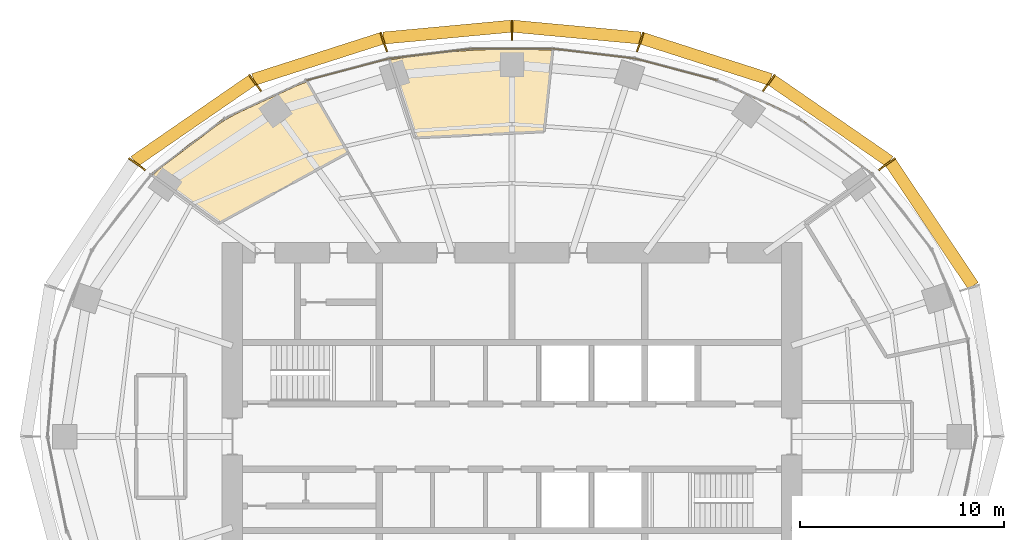
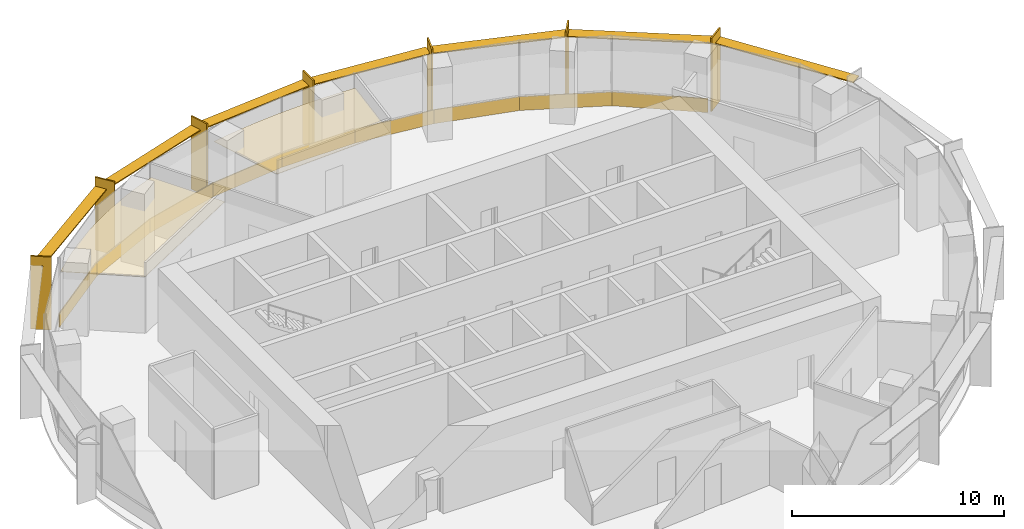
# One storey, part 13 of 13: 14 shading devices, 11 coverings.
"""IFC4 building model written with IfcOpenShell, lengths in metres."""

from ifc_helpers import new_model, si_unit, direction, frame, origin, origin_2d, place, context, subcontext, project, spatial, polyline, rectangle, outline, extrude, material, layer, layer_set, type_object, element, save


model = new_model("IFC4")

# Units and contexts
model_context = context("Model", 3, precision=1e-05, world=origin(), true_north=direction((0.0, 1.0)))
body_context = subcontext(model_context, "Body", "Model", "MODEL_VIEW")
ifc_project = project(units=[si_unit("LENGTHUNIT", "METRE"), si_unit("AREAUNIT", "SQUARE_METRE"), si_unit("VOLUMEUNIT", "CUBIC_METRE"), si_unit("PLANEANGLEUNIT", "RADIAN"), si_unit("MASSUNIT", "GRAM", prefix="KILO")], contexts=[model_context])

# Site, building, storey
site_placement = place(None, origin())
site = spatial("IfcSite", under=ifc_project, at=site_placement, CompositionType="ELEMENT")
building_placement = place(site_placement, origin())
building = spatial("IfcBuilding", under=site, at=building_placement, Name="Marramba Exchange Tower", CompositionType="ELEMENT")
storey_placement = place(building_placement, frame((0.0, 0.0, 260.199951171875)))
storey = spatial("IfcBuildingStorey", under=building, at=storey_placement, Name="L63", CompositionType="ELEMENT", Elevation=260.199951171875)

# Shading devices
ifc_material_1 = material(Name="Aluminium blade, timber-look bronze finish", Category="wood")
ifc_layer_1 = layer(ifc_material_1, 0.080078125)
ifc_layer_set_1 = layer_set([ifc_layer_1], Name="Floor-edge blade 1000x80")
shading_device_type_1 = type_object("IfcShadingDeviceType", Name="Floor-edge blade 1000x80", PredefinedType="USERDEFINED", material=ifc_layer_set_1)
for number, where, z_axis, x_axis, name in (
    (1, (18.361083984375, 13.340087890625, -0.16015625), (0.0, 0.0, 1.0), (0.809016994375, 0.587785252292, 0.0), "Floor-edge blade FB1 L63 TC03"),
    (2, (12.58056640625, 17.315673828125, -0.16015625), (0.0, 0.0, 1.0), (0.587785252292, 0.809016994375, 0.0), "Floor-edge blade FB1 L63 TC04"),
    (3, (6.279296875, 19.325439453125, -0.16015625), (0.0, 0.0, 1.0), (0.309016994375, 0.951056516295, 0.0), "Floor-edge blade FB1 L63 TC05"),
    (4, (0.0, 19.904052734375, -0.16015625), (0.0, 0.0, 1.0), (0.0, 1.0, 0.0), "Floor-edge blade FB1 L63 TC06"),
    (5, (-6.279296875, 19.325439453125, -0.16015625), (0.0, 0.0, 1.0), (-0.309016994375, 0.951056516295, 0.0), "Floor-edge blade FB1 L63 TC07"),
    (6, (-12.58056640625, 17.315673828125, -0.16015625), (0.0, 0.0, 1.0), (-0.587785252292, 0.809016994375, 0.0), "Floor-edge blade FB1 L63 TC08"),
    (7, (-18.361083984375, 13.340087890625, -0.16015625), (0.0, 0.0, 1.0), (-0.809016994375, 0.587785252292, 0.0), "Floor-edge blade FB1 L63 TC09"),
):
    element("IfcShadingDevice", number, at=place(storey_placement, frame(where, z_axis=z_axis, x_axis=x_axis)), inside=storey, type_object=shading_device_type_1, Name=name, ObjectType="FIN", PredefinedType="USERDEFINED", context=body_context, shape_type="SweptSolid", body=[
        extrude(rectangle(XDim=1.0, YDim=0.080078125, at=origin_2d()), origin(), (0.0, 0.0, 1.0), 4.199951171875),
    ])
ifc_material_2 = material(Name="Aluminium sunshade, bronze anodised", Category="aluminium")
ifc_layer_2 = layer(ifc_material_2, 0.06005859375)
ifc_layer_set_2 = layer_set([ifc_layer_2], Name="SUNSHADE blade 600x60")
shading_device_type_2 = type_object("IfcShadingDeviceType", Name="SUNSHADE blade 600x60", PredefinedType="USERDEFINED", material=ifc_layer_set_2)
shading_device_1_placement = place(storey_placement, frame((20.569091796875, 10.40283203125, 3.4599609375), z_axis=(0.0, 0.0, 1.0), x_axis=(-0.556539553467, 0.830821115179, 0.0)))
element("IfcShadingDevice", 8, at=shading_device_1_placement, inside=storey, type_object=shading_device_type_2, Name="Sunshade SS1 L63 bay 02", ObjectType="SUNSHADE", PredefinedType="USERDEFINED", context=body_context, shape_type="SweptSolid", body=[
    extrude(rectangle(XDim=7.2734375, YDim=0.60009765625, at=origin_2d()), origin(), (0.0, 0.0, 1.0), 0.06005859375),
])
shading_device_2_placement = place(storey_placement, frame((15.610595703125, 15.467529296875, 3.4599609375), z_axis=(0.0, 0.0, 1.0), x_axis=(-0.823024460267, 0.568005931134, 0.0)))
element("IfcShadingDevice", 9, at=shading_device_2_placement, inside=storey, type_object=shading_device_type_2, Name="Sunshade SS1 L63 bay 03", ObjectType="SUNSHADE", PredefinedType="USERDEFINED", context=body_context, shape_type="SweptSolid", body=[
    extrude(rectangle(XDim=6.9970703125, YDim=0.60009765625, at=origin_2d()), origin(), (0.0, 0.0, 1.0), 0.06005859375),
])
shading_device_3_placement = place(storey_placement, frame((9.51953125, 18.49658203125, 3.4599609375), z_axis=(0.0, 0.0, 1.0), x_axis=(-0.952259596472, 0.30528947071, 0.0)))
element("IfcShadingDevice", 10, at=shading_device_3_placement, inside=storey, type_object=shading_device_type_2, Name="Sunshade SS1 L63 bay 04", ObjectType="SUNSHADE", PredefinedType="USERDEFINED", context=body_context, shape_type="SweptSolid", body=[
    extrude(rectangle(XDim=6.595947265625, YDim=0.60009765625, at=origin_2d()), origin(), (0.0, 0.0, 1.0), 0.06005859375),
])
for number, where, z_axis, x_axis, name in (
    (11, (3.17041015625, 19.809814453125, 3.4599609375), (0.0, 0.0, 1.0), (-0.995722269911, 0.092396759698, 0.0), "Sunshade SS1 L63 bay 05"),
    (12, (-3.17041015625, 19.809814453125, 3.4599609375), (0.0, 0.0, 1.0), (-0.995722269911, -0.092396759698, 0.0), "Sunshade SS1 L63 bay 06"),
):
    element("IfcShadingDevice", number, at=place(storey_placement, frame(where, z_axis=z_axis, x_axis=x_axis)), inside=storey, type_object=shading_device_type_2, Name=name, ObjectType="SUNSHADE", PredefinedType="USERDEFINED", context=body_context, shape_type="SweptSolid", body=[
        extrude(rectangle(XDim=6.288330078125, YDim=0.60009765625, at=origin_2d()), origin(), (0.0, 0.0, 1.0), 0.06005859375),
    ])
shading_device_4_placement = place(storey_placement, frame((-9.51953125, 18.49658203125, 3.4599609375), z_axis=(0.0, 0.0, 1.0), x_axis=(-0.952259596472, -0.30528947071, 0.0)))
element("IfcShadingDevice", 13, at=shading_device_4_placement, inside=storey, type_object=shading_device_type_2, Name="Sunshade SS1 L63 bay 07", ObjectType="SUNSHADE", PredefinedType="USERDEFINED", context=body_context, shape_type="SweptSolid", body=[
    extrude(rectangle(XDim=6.595947265625, YDim=0.60009765625, at=origin_2d()), origin(), (0.0, 0.0, 1.0), 0.06005859375),
])
shading_device_5_placement = place(storey_placement, frame((-15.610595703125, 15.467529296875, 3.4599609375), z_axis=(0.0, 0.0, 1.0), x_axis=(-0.823024460267, -0.568005931134, 0.0)))
element("IfcShadingDevice", 14, at=shading_device_5_placement, inside=storey, type_object=shading_device_type_2, Name="Sunshade SS1 L63 bay 08", ObjectType="SUNSHADE", PredefinedType="USERDEFINED", context=body_context, shape_type="SweptSolid", body=[
    extrude(rectangle(XDim=6.9970703125, YDim=0.60009765625, at=origin_2d()), origin(), (0.0, 0.0, 1.0), 0.06005859375),
])

# Coverings
ifc_material_3 = material(Name="Aluminium spandrel panel, bronze anodised, insulated", Category="aluminium")
ifc_layer_3 = layer(ifc_material_3, 0.050048828125)
ifc_layer_set_3 = layer_set([ifc_layer_3], Name="Spandrel panel 800")
covering_type_1 = type_object("IfcCoveringType", Name="Spandrel panel 800", PredefinedType="CLADDING", material=ifc_layer_set_3)
covering_1_placement = place(storey_placement, frame((15.859375, 14.2197265625, 0.0), z_axis=(0.0, 0.0, 1.0), x_axis=(-0.796058898731, 0.605219158447, 0.0)))
element("IfcCovering", 15, at=covering_1_placement, inside=storey, type_object=covering_type_1, Name="Spandrel panel SP1 L63 F04", PredefinedType="CLADDING", context=body_context, shape_type="SweptSolid", body=[
    extrude(rectangle(XDim=4.5576171875, YDim=0.050048828125, at=origin_2d()), origin(), (0.0, 0.0, 1.0), 0.800048828125),
])
covering_2_placement = place(storey_placement, frame((12.057861328125, 16.520751953125, 0.0), z_axis=(0.0, 0.0, 1.0), x_axis=(-0.907130582029, 0.420849268918, 0.0)))
element("IfcCovering", 16, at=covering_2_placement, inside=storey, type_object=covering_type_1, Name="Spandrel panel SP1 L63 F05", PredefinedType="CLADDING", context=body_context, shape_type="SweptSolid", body=[
    extrude(rectangle(XDim=4.381591796875, YDim=0.050048828125, at=origin_2d()), origin(), (0.0, 0.0, 1.0), 0.800048828125),
])
covering_3_placement = place(storey_placement, frame((8.04345703125, 17.97998046875, 0.0), z_axis=(0.0, 0.0, 1.0), x_axis=(-0.966643517403, 0.256125575184, 0.0)))
element("IfcCovering", 17, at=covering_3_placement, inside=storey, type_object=covering_type_1, Name="Spandrel panel SP1 L63 F06", PredefinedType="CLADDING", context=body_context, shape_type="SweptSolid", body=[
    extrude(rectangle(XDim=4.194091796875, YDim=0.050048828125, at=origin_2d()), origin(), (0.0, 0.0, 1.0), 0.800048828125),
])
covering_4_placement = place(storey_placement, frame((4.006591796875, 18.757080078125, 0.0), z_axis=(0.0, 0.0, 1.0), x_axis=(-0.992947252913, 0.118556960709, 0.0)))
element("IfcCovering", 18, at=covering_4_placement, inside=storey, type_object=covering_type_1, Name="Spandrel panel SP1 L63 F07", PredefinedType="CLADDING", context=body_context, shape_type="SweptSolid", body=[
    extrude(rectangle(XDim=4.04833984375, YDim=0.050048828125, at=origin_2d()), origin(), (0.0, 0.0, 1.0), 0.800048828125),
])
covering_5_placement = place(storey_placement, frame((0.0, 18.9970703125, 0.0), z_axis=(0.0, 0.0, 1.0), x_axis=(-1.0, 0.0, 0.0)))
element("IfcCovering", 19, at=covering_5_placement, inside=storey, type_object=covering_type_1, Name="Spandrel panel SP1 L63 F08", PredefinedType="CLADDING", context=body_context, shape_type="SweptSolid", body=[
    extrude(rectangle(XDim=3.993408203125, YDim=0.050048828125, at=origin_2d()), origin(), (0.0, 0.0, 1.0), 0.800048828125),
])
covering_6_placement = place(storey_placement, frame((-4.006591796875, 18.757080078125, 0.0), z_axis=(0.0, 0.0, 1.0), x_axis=(-0.992947252913, -0.118556960709, 0.0)))
element("IfcCovering", 20, at=covering_6_placement, inside=storey, type_object=covering_type_1, Name="Spandrel panel SP1 L63 F09", PredefinedType="CLADDING", context=body_context, shape_type="SweptSolid", body=[
    extrude(rectangle(XDim=4.04833984375, YDim=0.050048828125, at=origin_2d()), origin(), (0.0, 0.0, 1.0), 0.800048828125),
])
covering_7_placement = place(storey_placement, frame((-8.04345703125, 17.97998046875, 0.0), z_axis=(0.0, 0.0, 1.0), x_axis=(-0.966643517403, -0.256125575184, 0.0)))
element("IfcCovering", 21, at=covering_7_placement, inside=storey, type_object=covering_type_1, Name="Spandrel panel SP1 L63 F10", PredefinedType="CLADDING", context=body_context, shape_type="SweptSolid", body=[
    extrude(rectangle(XDim=4.194091796875, YDim=0.050048828125, at=origin_2d()), origin(), (0.0, 0.0, 1.0), 0.800048828125),
])
covering_8_placement = place(storey_placement, frame((-12.057861328125, 16.520751953125, 0.0), z_axis=(0.0, 0.0, 1.0), x_axis=(-0.907130582029, -0.420849268918, 0.0)))
element("IfcCovering", 22, at=covering_8_placement, inside=storey, type_object=covering_type_1, Name="Spandrel panel SP1 L63 F11", PredefinedType="CLADDING", context=body_context, shape_type="SweptSolid", body=[
    extrude(rectangle(XDim=4.381591796875, YDim=0.050048828125, at=origin_2d()), origin(), (0.0, 0.0, 1.0), 0.800048828125),
])
covering_9_placement = place(storey_placement, frame((-15.859375, 14.2197265625, 0.0), z_axis=(0.0, 0.0, 1.0), x_axis=(-0.796058898731, -0.605219158447, 0.0)))
element("IfcCovering", 23, at=covering_9_placement, inside=storey, type_object=covering_type_1, Name="Spandrel panel SP1 L63 F12", PredefinedType="CLADDING", context=body_context, shape_type="SweptSolid", body=[
    extrude(rectangle(XDim=4.5576171875, YDim=0.050048828125, at=origin_2d()), origin(), (0.0, 0.0, 1.0), 0.800048828125),
])
ifc_material_4 = material(Name="Mineral fibre ceiling tiles", Category="gypsum")
ifc_layer_4 = layer(ifc_material_4, 0.02001953125)
ifc_layer_set_4 = layer_set([ifc_layer_4], Name="Suspended ceiling 20")
covering_type_2 = type_object("IfcCoveringType", Name="Suspended ceiling 20", PredefinedType="CEILING", material=ifc_layer_set_4)
covering_10_placement = place(storey_placement, frame((0.0, 0.0, 3.199951171875)))
element("IfcCovering", 24, at=covering_10_placement, inside=storey, type_object=covering_type_2, Name="Ceiling CL1 L63 Executive Office 1", PredefinedType="CEILING", context=body_context, shape_type="SweptSolid", body=[
    extrude(outline(polyline([(-4.986328125, 18.609375), (-4.7216796875, 18.644775390625), (-3.984130859375, 18.74365234375), (-2.98486328125, 18.845703125), (-1.98828125, 18.91748046875), (-1.654296875, 18.931640625), (-0.99365234375, 18.9599609375), (0.0, 18.97412109375), (0.99365234375, 18.9599609375), (1.654296875, 18.931640625), (1.98828125, 18.91748046875), (1.5703125, 14.939208984375), (-4.755615234375, 14.63671875), (-5.99169921875, 18.44091796875), (-4.986328125, 18.609375)])), origin(), (0.0, 0.0, 1.0), 0.02001953125),
])
covering_11_placement = place(storey_placement, frame((0.0, 0.0, 3.199951171875)))
element("IfcCovering", 25, at=covering_11_placement, inside=storey, type_object=covering_type_2, Name="Ceiling CL1 L63 Executive Office 2", PredefinedType="CEILING", context=body_context, shape_type="SweptSolid", body=[
    extrude(outline(polyline([(-17.3798828125, 13.001708984375), (-16.756591796875, 13.569091796875), (-16.344482421875, 13.900390625), (-15.865478515625, 14.285400390625), (-14.94189453125, 14.94189453125), (-14.185302734375, 15.41748046875), (-13.99169921875, 15.539306640625), (-13.020751953125, 16.079345703125), (-12.440673828125, 16.36376953125), (-12.033935546875, 16.563232421875), (-11.724853515625, 16.69677734375), (-11.035888671875, 16.993896484375), (-10.413818359375, 17.228759765625), (-10.030517578125, 17.37353515625), (-9.858642578125, 17.07568359375), (-8.030517578125, 13.909423828125), (-14.37255859375, 10.4423828125), (-17.608642578125, 12.79345703125), (-17.3798828125, 13.001708984375)])), origin(), (0.0, 0.0, 1.0), 0.02001953125),
])

save(model, "model.ifc")
